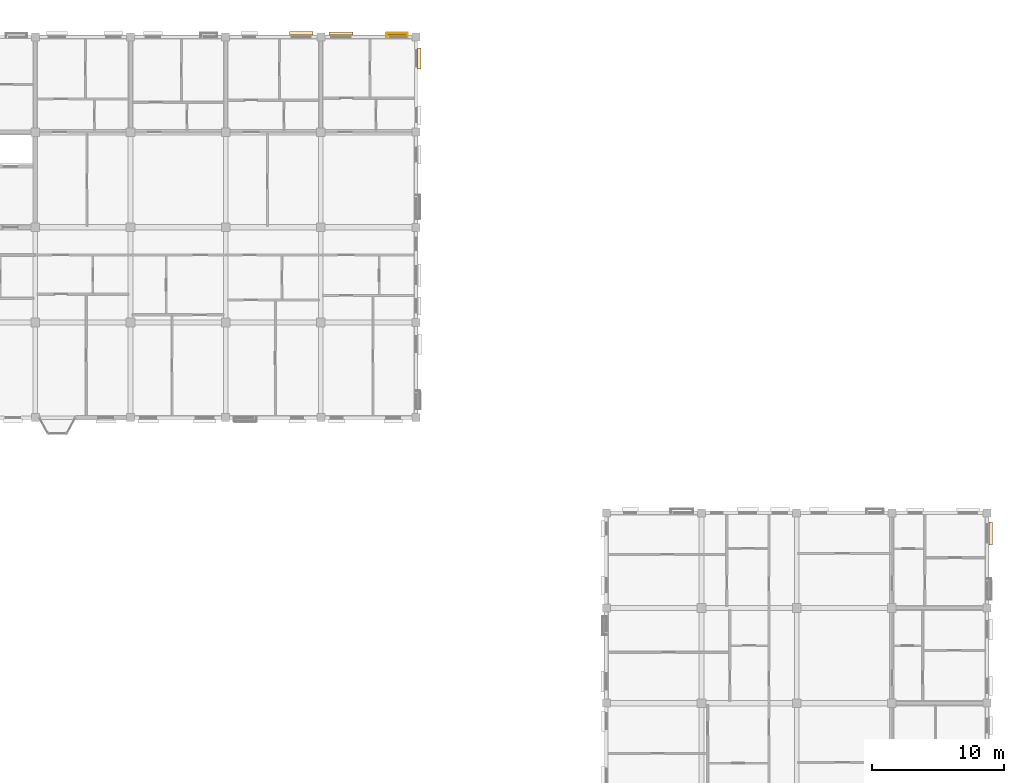
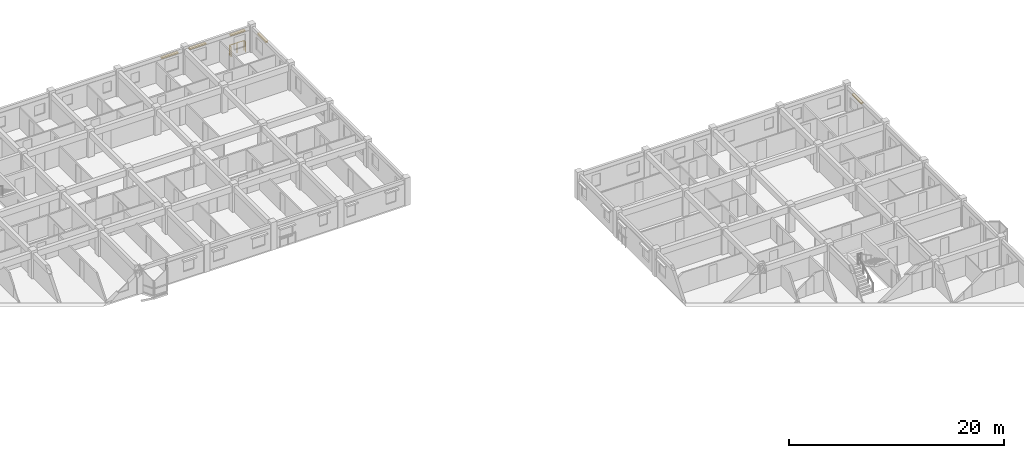
# One storey, part 124 of 124: 5 coverings, 1 railing.
"""IFC4 building model written with IfcOpenShell, lengths in metres."""

from ifc_helpers import new_model, si_unit, direction, frame, origin, origin_2d, place, context, subcontext, project, spatial, rectangle, circle, extrude, material, layer, layer_set, type_object, element, save


model = new_model("IFC4")

# Units and contexts
model_context = context("Model", 3, precision=1e-05, world=origin(), true_north=direction((0.0, 1.0)))
body_context = subcontext(model_context, "Body", "Model", "MODEL_VIEW")
ifc_project = project(units=[si_unit("LENGTHUNIT", "METRE"), si_unit("AREAUNIT", "SQUARE_METRE"), si_unit("VOLUMEUNIT", "CUBIC_METRE"), si_unit("PLANEANGLEUNIT", "RADIAN"), si_unit("MASSUNIT", "GRAM", prefix="KILO"), si_unit("THERMODYNAMICTEMPERATUREUNIT", "KELVIN"), si_unit("POWERUNIT", "WATT")], contexts=[model_context])

# Site, building, storey
site_placement = place(None, origin())
site = spatial("IfcSite", under=ifc_project, at=site_placement, CompositionType="ELEMENT")
building_placement = place(site_placement, origin())
building = spatial("IfcBuilding", under=site, at=building_placement, Name="Tavuni Mirador Residences", CompositionType="ELEMENT")
storey_placement = place(building_placement, frame((0.0, 0.0, 7.64990234375)))
storey = spatial("IfcBuildingStorey", under=building, at=storey_placement, Name="L02", CompositionType="ELEMENT", Elevation=7.64990234375)

# Coverings
ifc_material_1 = material(Name="Natural coral limestone", Category="masonry")
ifc_layer = layer(ifc_material_1, 0.054931640625, Name="Natural coral limestone", Category="masonry")
ifc_layer_set = layer_set([ifc_layer], Name="Natural coral limestone")
covering_type = type_object("IfcCoveringType", Name="CVT-CLAD-CORAL", PredefinedType="CLADDING", material=ifc_layer_set)
for number, where, z_axis, x_axis, name in (
    (1, (75.849609375, 171.175048828125, 2.2451171875), (0.0, 0.0, 1.0), (0.0, 1.0, 0.0), "HOOD-0580"),
    (2, (74.22509765625, 173.06689453125, 2.2451171875), (0.0, 0.0, 1.0), (-1.0, 0.0, 0.0), "HOOD-0581"),
):
    element("IfcCovering", number, at=place(storey_placement, frame(where, z_axis=z_axis, x_axis=x_axis)), inside=storey, type_object=covering_type, Name=name, PredefinedType="CLADDING", context=body_context, shape_type="SweptSolid", body=[
        extrude(rectangle(XDim=1.590087890625, YDim=0.25, at=origin_2d()), origin(), (0.0, 0.0, 1.0), 0.14990234375),
    ])
for number, where, z_axis, x_axis, name in (
    (3, (69.925048828125, 173.06689453125, 2.2451171875), (0.0, 0.0, 1.0), (-1.0, 0.0, 0.0), "HOOD-0582"),
    (4, (66.925048828125, 173.074462890625, 2.2451171875), (0.0, 0.0, 1.0), (-1.0, 0.0, 0.0), "HOOD-0583"),
):
    element("IfcCovering", number, at=place(storey_placement, frame(where, z_axis=z_axis, x_axis=x_axis)), inside=storey, type_object=covering_type, Name=name, PredefinedType="CLADDING", context=body_context, shape_type="SweptSolid", body=[
        extrude(rectangle(XDim=1.7900390625, YDim=0.25, at=origin_2d()), origin(), (0.0, 0.0, 1.0), 0.14990234375),
    ])
covering_placement = place(storey_placement, frame((119.07958984375, 135.25, 1.955078125), z_axis=(0.0, 0.0, 1.0), x_axis=(0.0, 1.0, 0.0)))
element("IfcCovering", 5, at=covering_placement, inside=storey, type_object=covering_type, Name="HOOD-0925", PredefinedType="CLADDING", context=body_context, shape_type="SweptSolid", body=[
    extrude(rectangle(XDim=1.739990234375, YDim=0.25, at=origin_2d()), origin(), (0.0, 0.0, 1.0), 0.14990234375),
])

# Railing
ifc_material_2 = material(Name="Structural steel S355", Category="steel")
railing_type = type_object("IfcRailingType", Name="RT-BL1150", PredefinedType="BALUSTRADE", material=ifc_material_2)
railing_placement = place(storey_placement, frame((74.949951171875, 172.800048828125, 0.0400390625)))
element("IfcRailing", 6, at=railing_placement, inside=storey, type_object=railing_type, Name="BALC-BLK-C-L02-N08", PredefinedType="BALUSTRADE", context=body_context, shape_type="SweptSolid", body=[
    extrude(circle(Radius=0.02392578125, at=origin_2d()), frame((0.0, 0.0, 1.1259765625), z_axis=(0.0, 1.0, 0.0), x_axis=(-1.0, 0.0, 0.0)), (0.0, 0.0, 1.0), 0.284912109375),
    extrude(circle(Radius=0.02392578125, at=origin_2d()), frame((0.0, 0.284912109375, 1.1259765625), z_axis=(-1.0, 0.0, 0.0), x_axis=(0.0, -1.0, 0.0)), (0.0, 0.0, 1.0), 1.570068359375),
    extrude(circle(Radius=0.02392578125, at=origin_2d()), frame((-1.570068359375, 0.284912109375, 1.1259765625), z_axis=(0.0, -1.0, 0.0), x_axis=(1.0, 0.0, 0.0)), (0.0, 0.0, 1.0), 0.284912109375),
    extrude(circle(Radius=0.02099609375, at=origin_2d()), origin(), (0.0, 0.0, 1.0), 1.101806640625),
    extrude(circle(Radius=0.02099609375, at=origin_2d()), frame((0.0, 0.284912109375, 0.0)), (0.0, 0.0, 1.0), 1.101806640625),
    extrude(circle(Radius=0.02099609375, at=origin_2d()), frame((-0.78515625, 0.284912109375, 0.0)), (0.0, 0.0, 1.0), 1.101806640625),
    extrude(circle(Radius=0.02099609375, at=origin_2d()), frame((-1.570068359375, 0.284912109375, 0.0)), (0.0, 0.0, 1.0), 1.101806640625),
    extrude(circle(Radius=0.02099609375, at=origin_2d()), frame((-1.570068359375, 0.0, 0.0)), (0.0, 0.0, 1.0), 1.101806640625),
])

save(model, "model.ifc")
